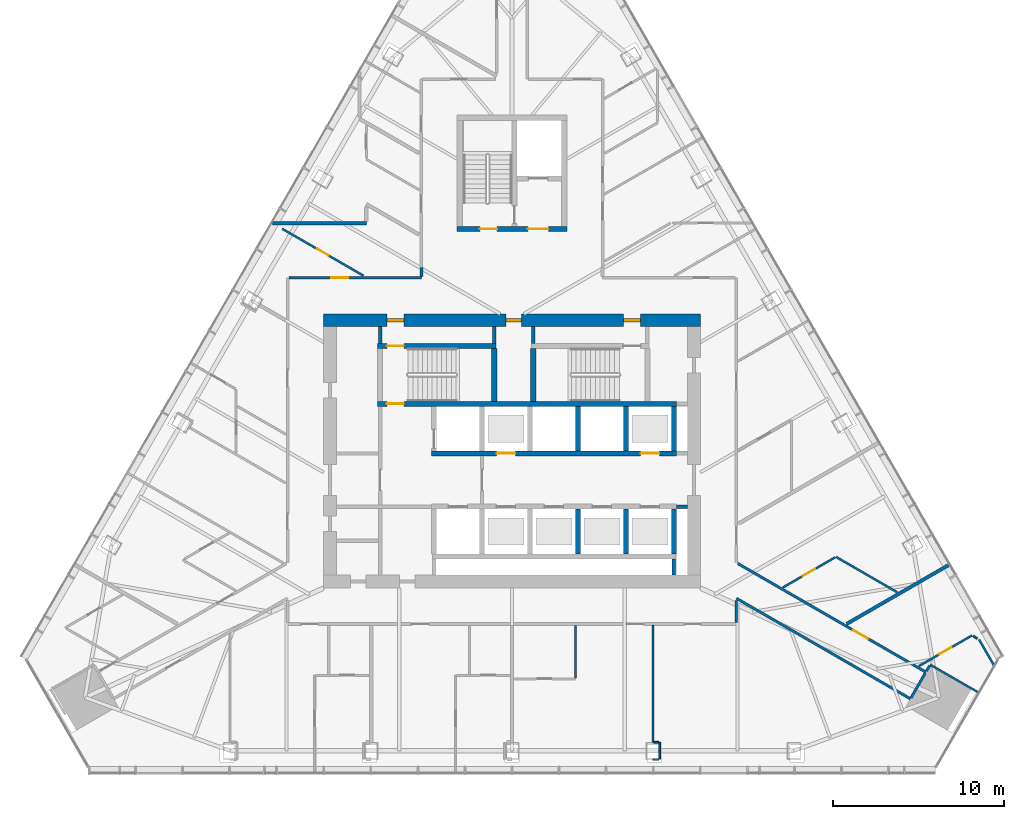
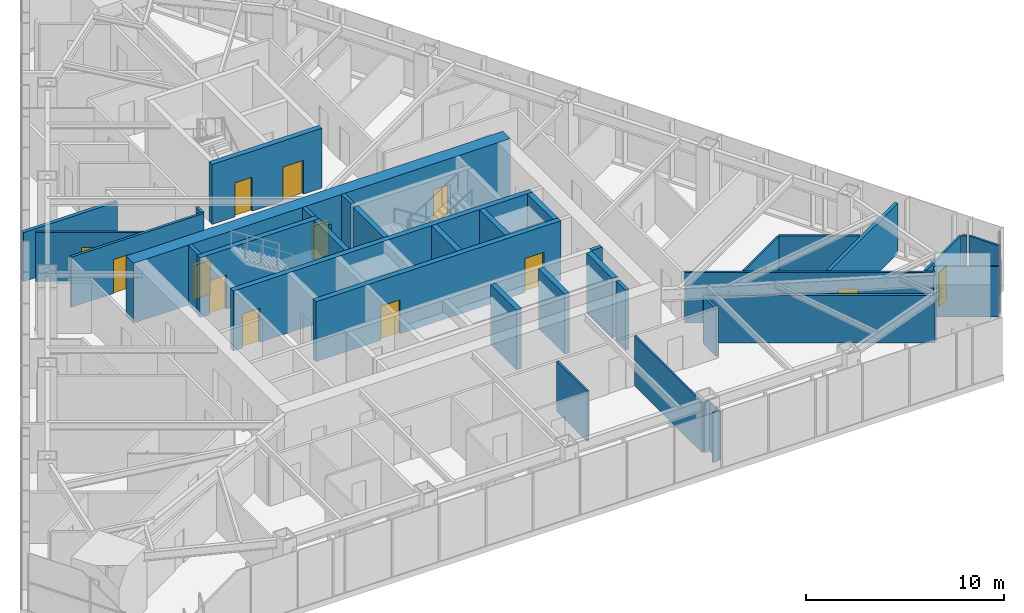
# One storey, part 12 of 16: 39 walls, 14 doors, 14 openings.
"""IFC4 building model written with IfcOpenShell, lengths in metres."""

from ifc_helpers import new_model, si_unit, direction, frame, frame_2d, origin, place, context, subcontext, project, spatial, rectangle, extrude, material, layer, layer_set, type_object, element, fill, save


model = new_model("IFC4")

# Units and contexts
model_context = context("Model", 3, precision=1e-05, world=origin(), true_north=direction((0.0, 1.0)))
body_context = subcontext(model_context, "Body", "Model", "MODEL_VIEW")
ifc_project = project(units=[si_unit("LENGTHUNIT", "METRE"), si_unit("AREAUNIT", "SQUARE_METRE"), si_unit("VOLUMEUNIT", "CUBIC_METRE"), si_unit("PLANEANGLEUNIT", "RADIAN"), si_unit("MASSUNIT", "GRAM", prefix="KILO")], contexts=[model_context])

# Site, building, storey
site_placement = place(None, origin())
site = spatial("IfcSite", under=ifc_project, at=site_placement, CompositionType="ELEMENT")
building_placement = place(site_placement, origin())
building = spatial("IfcBuilding", under=site, at=building_placement, Name="Firuza Gate Tower and Library", CompositionType="ELEMENT")
storey_placement = place(building_placement, frame((0.0, 0.0, 229.89990234375)))
storey = spatial("IfcBuildingStorey", under=building, at=storey_placement, Name="L54", CompositionType="ELEMENT", Elevation=229.89990234375)

# Walls
ifc_material_1 = material(Name="Plasterboard on steel studs", Category="steel")
ifc_layer_1 = layer(ifc_material_1, 0.199951171875)
ifc_layer_set_1 = layer_set([ifc_layer_1], Name="Core partition 200 EI 120")
wall_type_1 = type_object("IfcWallType", Name="Core partition 200 EI 120", PredefinedType="PARTITIONING", material=ifc_layer_set_1)
wall_1_placement = place(storey_placement, frame((84.60009765625, 71.75, 0.0), z_axis=(0.0, 0.0, 1.0), x_axis=(1.0, 0.0, 0.0)))
element("IfcWall", 1, at=wall_1_placement, inside=storey, type_object=wall_type_1, Name="Core partition L54 3", PredefinedType="PARTITIONING", context=body_context, shape_type="SweptSolid", body=[
    extrude(rectangle(XDim=0.64990234375, YDim=0.199951171875, at=frame_2d((0.324951171875, 0.0))), origin(), (0.0, 0.0, 1.0), 3.7001953125),
])
wall_2_placement = place(storey_placement, frame((67.300048828125, 81.280029296875, 0.0), z_axis=(0.0, 0.0, 1.0), x_axis=(0.0, 1.0, 0.0)))
element("IfcWall", 2, at=wall_2_placement, inside=storey, type_object=wall_type_1, Name="Core partition L54 9", PredefinedType="PARTITIONING", context=body_context, shape_type="SweptSolid", body=[
    extrude(rectangle(XDim=0.969970703125, YDim=0.199951171875, at=frame_2d((0.48486328125, 0.0))), origin(), (0.0, 0.0, 1.0), 3.7001953125),
])
wall_3_placement = place(storey_placement, frame((84.449951171875, 67.75, 0.0), z_axis=(0.0, 0.0, 1.0), x_axis=(0.0, 1.0, 0.0)))
element("IfcWall", 3, at=wall_3_placement, inside=storey, type_object=wall_type_1, Name="Core partition L54 15", PredefinedType="PARTITIONING", context=body_context, shape_type="SweptSolid", body=[
    extrude(rectangle(XDim=0.949951171875, YDim=0.199951171875, at=frame_2d((0.47509765625, 0.0))), origin(), (0.0, 0.0, 1.0), 3.7001953125),
])
ifc_material_2 = material(Name="Plasterboard on steel studs", Category="steel")
ifc_layer_2 = layer(ifc_material_2, 0.199951171875)
ifc_layer_set_2 = layer_set([ifc_layer_2], Name="Core partition 200 EI 60")
wall_type_2 = type_object("IfcWallType", Name="Core partition 200 EI 60", PredefinedType="PARTITIONING", material=ifc_layer_set_2)
for number, where, z_axis, x_axis, name in (
    (4, (73.9599609375, 81.280029296875, 0.0), (0.0, 0.0, 1.0), (0.0, 1.0, 0.0), "Core partition L54 12"),
    (5, (76.239990234375, 81.280029296875, 0.0), (0.0, 0.0, 1.0), (0.0, 1.0, 0.0), "Core partition L54 13"),
):
    element("IfcWall", number, at=place(storey_placement, frame(where, z_axis=z_axis, x_axis=x_axis)), inside=storey, type_object=wall_type_2, Name=name, PredefinedType="PARTITIONING", context=body_context, shape_type="SweptSolid", body=[
        extrude(rectangle(XDim=0.969970703125, YDim=0.199951171875, at=frame_2d((0.48486328125, 0.0))), origin(), (0.0, 0.0, 1.0), 3.7001953125),
    ])

# Wall, openings, doors
ifc_material_3 = material(Name="Concrete C80/95", Category="concrete")
ifc_layer_3 = layer(ifc_material_3, 0.300048828125)
ifc_layer_set_3 = layer_set([ifc_layer_3], Name="Core wall 300 C80/95")
wall_type_3 = type_object("IfcWallType", Name="Core wall 300 C80/95", PredefinedType="SHEAR", material=ifc_layer_set_3)
wall_4_placement = place(storey_placement, frame((70.300048828125, 74.85009765625, 0.0), z_axis=(0.0, 0.0, 1.0), x_axis=(1.0, 0.0, 0.0)))
wall_4 = element("IfcWall", 6, at=wall_4_placement, inside=storey, type_object=wall_type_3, Name="Core wall L54 7", PredefinedType="SHEAR", context=body_context, shape_type="SweptSolid", body=[
    extrude(rectangle(XDim=14.300048828125, YDim=0.300048828125, at=frame_2d((7.14990234375, 0.0))), origin(), (0.0, 0.0, 1.0), 3.7001953125),
])
opening_1_placement = place(wall_4_placement, frame((3.800048828125, 0.0, 0.0)))
opening_1 = element("IfcOpeningElement", 7, at=opening_1_placement, cuts=wall_4, Name="Opening LD-MR4-L54", PredefinedType="OPENING", context=body_context, shape_type="SweptSolid", body=[
    extrude(rectangle(XDim=1.10009765625, YDim=2.10009765625, at=frame_2d((0.550048828125, 1.050048828125))), frame((0.0, 0.16015625, 0.0), z_axis=(0.0, -1.0, 0.0), x_axis=(1.0, 0.0, 0.0)), (0.0, 0.0, 1.0), 0.320068359375),
])
opening_2_placement = place(wall_4_placement, frame((12.199951171875, 0.0, 0.0)))
opening_2 = element("IfcOpeningElement", 8, at=opening_2_placement, cuts=wall_4, Name="Opening LD-MR6-L54", PredefinedType="OPENING", context=body_context, shape_type="SweptSolid", body=[
    extrude(rectangle(XDim=1.10009765625, YDim=2.10009765625, at=frame_2d((0.550048828125, 1.050048828125))), frame((0.0, 0.16015625, 0.0), z_axis=(0.0, -1.0, 0.0), x_axis=(1.0, 0.0, 0.0)), (0.0, 0.0, 1.0), 0.320068359375),
])
ifc_material_4 = material(Name="Stainless steel", Category="steel")
door_type_1 = type_object("IfcDoorType", Name="Lift landing door 1100x2100", OperationType="DOUBLE_DOOR_SLIDING", PredefinedType="DOOR", material=ifc_material_4)
door_1_placement = place(opening_1_placement, origin())
door_1 = element("IfcDoor", 9, at=door_1_placement, inside=storey, type_object=door_type_1, Name="Landing door MR4 L54", OperationType="DOUBLE_DOOR_SLIDING", OverallHeight=2.10009765625, OverallWidth=1.10009765625, PredefinedType="DOOR", context=body_context, shape_type="SweptSolid", body=[
    extrude(rectangle(XDim=1.10009765625, YDim=2.10009765625, at=frame_2d((0.550048828125, 1.050048828125))), frame((0.0, 0.02490234375, 0.0), z_axis=(0.0, -1.0, 0.0), x_axis=(1.0, 0.0, 0.0)), (0.0, 0.0, 1.0), 0.050048828125),
])
fill(opening_1, door_1)
door_2_placement = place(opening_2_placement, origin())
door_2 = element("IfcDoor", 10, at=door_2_placement, inside=storey, type_object=door_type_1, Name="Landing door MR6 L54", OperationType="DOUBLE_DOOR_SLIDING", OverallHeight=2.10009765625, OverallWidth=1.10009765625, PredefinedType="DOOR", context=body_context, shape_type="SweptSolid", body=[
    extrude(rectangle(XDim=1.10009765625, YDim=2.10009765625, at=frame_2d((0.550048828125, 1.050048828125))), frame((0.0, 0.02490234375, 0.0), z_axis=(0.0, -1.0, 0.0), x_axis=(1.0, 0.0, 0.0)), (0.0, 0.0, 1.0), 0.050048828125),
])
fill(opening_2, door_2)

# Walls
for number, where, z_axis, x_axis, name in (
    (11, (78.85009765625, 69.0, 0.0), (0.0, 0.0, 1.0), (0.0, 1.0, 0.0), "Core wall L54 14"),
    (12, (78.85009765625, 75.0, 0.0), (0.0, 0.0, 1.0), (0.0, 1.0, 0.0), "Core wall L54 15"),
    (13, (81.64990234375, 69.0, 0.0), (0.0, 0.0, 1.0), (0.0, 1.0, 0.0), "Core wall L54 16"),
    (14, (81.64990234375, 75.0, 0.0), (0.0, 0.0, 1.0), (0.0, 1.0, 0.0), "Core wall L54 17"),
    (15, (84.449951171875, 69.0, 0.0), (0.0, 0.0, 1.0), (0.0, 1.0, 0.0), "Core wall L54 18"),
    (16, (84.449951171875, 75.0, 0.0), (0.0, 0.0, 1.0), (0.0, 1.0, 0.0), "Core wall L54 19"),
):
    element("IfcWall", number, at=place(storey_placement, frame(where, z_axis=z_axis, x_axis=x_axis)), inside=storey, type_object=wall_type_3, Name=name, PredefinedType="SHEAR", context=body_context, shape_type="SweptSolid", body=[
        extrude(rectangle(XDim=2.60009765625, YDim=0.300048828125, at=frame_2d((1.300048828125, 0.0))), origin(), (0.0, 0.0, 1.0), 3.7001953125),
    ])

# Wall, opening, door
wall_5_placement = place(storey_placement, frame((67.14990234375, 77.75, 0.0), z_axis=(0.0, 0.0, 1.0), x_axis=(1.0, 0.0, 0.0)))
wall_5 = element("IfcWall", 17, at=wall_5_placement, inside=storey, type_object=wall_type_3, Name="Core wall L54 20", PredefinedType="SHEAR", context=body_context, shape_type="SweptSolid", body=[
    extrude(rectangle(XDim=17.4501953125, YDim=0.300048828125, at=frame_2d((8.72509765625, 0.0))), origin(), (0.0, 0.0, 1.0), 3.7001953125),
])
opening_3_placement = place(wall_5_placement, frame((0.544921875, 0.0, 0.0)))
opening_3 = element("IfcOpeningElement", 18, at=opening_3_placement, cuts=wall_5, Name="Opening L54-K10", PredefinedType="OPENING", context=body_context, shape_type="SweptSolid", body=[
    extrude(rectangle(XDim=1.0, YDim=2.10009765625, at=frame_2d((0.5, 1.050048828125))), frame((0.0, 0.16015625, 0.0), z_axis=(0.0, -1.0, 0.0), x_axis=(1.0, 0.0, 0.0)), (0.0, 0.0, 1.0), 0.320068359375),
])
ifc_material_5 = material(Name="Steel", Category="steel")
door_type_2 = type_object("IfcDoorType", Name="Fire door 1000x2100 FD90", OperationType="NOTDEFINED", PredefinedType="DOOR", material=ifc_material_5)
door_3_placement = place(opening_3_placement, origin())
door_3 = element("IfcDoor", 19, at=door_3_placement, inside=storey, type_object=door_type_2, Name="Door L54-K10", OperationType="SINGLE_SWING_LEFT", OverallHeight=2.10009765625, OverallWidth=1.0, PredefinedType="DOOR", context=body_context, shape_type="SweptSolid", body=[
    extrude(rectangle(XDim=1.0, YDim=2.10009765625, at=frame_2d((0.5, 1.050048828125))), frame((0.0, 0.02490234375, 0.0), z_axis=(0.0, -1.0, 0.0), x_axis=(1.0, 0.0, 0.0)), (0.0, 0.0, 1.0), 0.050048828125),
])
fill(opening_3, door_3)

wall_6_placement = place(storey_placement, frame((67.14990234375, 81.1298828125, 0.0), z_axis=(0.0, 0.0, 1.0), x_axis=(1.0, 0.0, 0.0)))
wall_6 = element("IfcWall", 20, at=wall_6_placement, inside=storey, type_object=wall_type_3, Name="Core wall L54 21", PredefinedType="SHEAR", context=body_context, shape_type="SweptSolid", body=[
    extrude(rectangle(XDim=6.91015625, YDim=0.300048828125, at=frame_2d((3.455078125, 0.0))), origin(), (0.0, 0.0, 1.0), 3.7001953125),
])
opening_4_placement = place(wall_6_placement, frame((0.544921875, 0.0, 0.0)))
opening_4 = element("IfcOpeningElement", 21, at=opening_4_placement, cuts=wall_6, Name="Opening L54-K11", PredefinedType="OPENING", context=body_context, shape_type="SweptSolid", body=[
    extrude(rectangle(XDim=1.0, YDim=2.10009765625, at=frame_2d((0.5, 1.050048828125))), frame((0.0, 0.16015625, 0.0), z_axis=(0.0, -1.0, 0.0), x_axis=(1.0, 0.0, 0.0)), (0.0, 0.0, 1.0), 0.320068359375),
])
door_4_placement = place(opening_4_placement, origin())
door_4 = element("IfcDoor", 22, at=door_4_placement, inside=storey, type_object=door_type_2, Name="Door L54-K11", OperationType="SINGLE_SWING_RIGHT", OverallHeight=2.10009765625, OverallWidth=1.0, PredefinedType="DOOR", context=body_context, shape_type="SweptSolid", body=[
    extrude(rectangle(XDim=1.0, YDim=2.10009765625, at=frame_2d((0.5, 1.050048828125))), frame((0.0, 0.02490234375, 0.0), z_axis=(0.0, -1.0, 0.0), x_axis=(1.0, 0.0, 0.0)), (0.0, 0.0, 1.0), 0.050048828125),
])
fill(opening_4, door_4)

# Walls
for number, where, z_axis, x_axis, name in (
    (23, (73.9599609375, 77.89990234375, 0.0), (0.0, 0.0, 1.0), (0.0, 1.0, 0.0), "Core wall L54 24"),
    (24, (76.239990234375, 77.89990234375, 0.0), (0.0, 0.0, 1.0), (0.0, 1.0, 0.0), "Core wall L54 25"),
):
    element("IfcWall", number, at=place(storey_placement, frame(where, z_axis=z_axis, x_axis=x_axis)), inside=storey, type_object=wall_type_3, Name=name, PredefinedType="SHEAR", context=body_context, shape_type="SweptSolid", body=[
        extrude(rectangle(XDim=3.080078125, YDim=0.300048828125, at=frame_2d((1.5400390625, 0.0))), origin(), (0.0, 0.0, 1.0), 3.7001953125),
    ])

# Wall, openings, doors
wall_7_placement = place(storey_placement, frame((71.800048828125, 87.949951171875, 0.0), z_axis=(0.0, 0.0, 1.0), x_axis=(1.0, 0.0, 0.0)))
wall_7 = element("IfcWall", 25, at=wall_7_placement, inside=storey, type_object=wall_type_3, Name="Core wall L54 27", PredefinedType="SHEAR", context=body_context, shape_type="SweptSolid", body=[
    extrude(rectangle(XDim=6.39990234375, YDim=0.300048828125, at=frame_2d((3.199951171875, 0.0))), origin(), (0.0, 0.0, 1.0), 3.7001953125),
])
opening_5_placement = place(wall_7_placement, frame((1.324951171875, 0.0, 0.0)))
opening_5 = element("IfcOpeningElement", 26, at=opening_5_placement, cuts=wall_7, Name="Opening L54-K15", PredefinedType="OPENING", context=body_context, shape_type="SweptSolid", body=[
    extrude(rectangle(XDim=1.0, YDim=2.10009765625, at=frame_2d((0.5, 1.050048828125))), frame((0.0, 0.16015625, 0.0), z_axis=(0.0, -1.0, 0.0), x_axis=(1.0, 0.0, 0.0)), (0.0, 0.0, 1.0), 0.320068359375),
])
opening_6_placement = place(wall_7_placement, frame((4.125, 0.0, 0.0)))
opening_6 = element("IfcOpeningElement", 27, at=opening_6_placement, cuts=wall_7, Name="Opening L54-K17", PredefinedType="OPENING", context=body_context, shape_type="SweptSolid", body=[
    extrude(rectangle(XDim=1.199951171875, YDim=2.10009765625, at=frame_2d((0.60009765625, 1.050048828125))), frame((0.0, 0.16015625, 0.0), z_axis=(0.0, -1.0, 0.0), x_axis=(1.0, 0.0, 0.0)), (0.0, 0.0, 1.0), 0.320068359375),
])
door_5_placement = place(opening_5_placement, origin())
door_5 = element("IfcDoor", 28, at=door_5_placement, inside=storey, type_object=door_type_2, Name="Door L54-K15", OperationType="SINGLE_SWING_RIGHT", OverallHeight=2.10009765625, OverallWidth=1.0, PredefinedType="DOOR", context=body_context, shape_type="SweptSolid", body=[
    extrude(rectangle(XDim=1.0, YDim=2.10009765625, at=frame_2d((0.5, 1.050048828125))), frame((0.0, 0.02490234375, 0.0), z_axis=(0.0, -1.0, 0.0), x_axis=(1.0, 0.0, 0.0)), (0.0, 0.0, 1.0), 0.050048828125),
])
fill(opening_5, door_5)
ifc_material_6 = material(Name="Steel", Category="steel")
door_type_3 = type_object("IfcDoorType", Name="Fire door 1200x2100 FD30S", OperationType="NOTDEFINED", PredefinedType="DOOR", material=ifc_material_6)
door_6_placement = place(opening_6_placement, origin())
door_6 = element("IfcDoor", 29, at=door_6_placement, inside=storey, type_object=door_type_3, Name="Door L54-K17", OperationType="SINGLE_SWING_RIGHT", OverallHeight=2.10009765625, OverallWidth=1.199951171875, PredefinedType="DOOR", context=body_context, shape_type="SweptSolid", body=[
    extrude(rectangle(XDim=1.199951171875, YDim=2.10009765625, at=frame_2d((0.60009765625, 1.050048828125))), frame((0.0, 0.02490234375, 0.0), z_axis=(0.0, -1.0, 0.0), x_axis=(1.0, 0.0, 0.0)), (0.0, 0.0, 1.0), 0.050048828125),
])
fill(opening_6, door_6)

ifc_material_7 = material(Name="Concrete C80/95", Category="concrete")
ifc_layer_4 = layer(ifc_material_7, 0.75)
ifc_layer_set_4 = layer_set([ifc_layer_4], Name="Core wall 750 C80/95")
wall_type_4 = type_object("IfcWallType", Name="Core wall 750 C80/95", PredefinedType="SHEAR", material=ifc_layer_set_4)
wall_8_placement = place(storey_placement, frame((64.0, 82.625, 0.0), z_axis=(0.0, 0.0, 1.0), x_axis=(1.0, 0.0, 0.0)))
wall_8 = element("IfcWall", 30, at=wall_8_placement, inside=storey, type_object=wall_type_4, Name="Core wall L54 2", PredefinedType="SHEAR", context=body_context, shape_type="SweptSolid", body=[
    extrude(rectangle(XDim=22.0, YDim=0.75, at=frame_2d((11.0, 0.0))), origin(), (0.0, 0.0, 1.0), 3.7001953125),
])
opening_7_placement = place(wall_8_placement, frame((3.695068359375, 0.0, 0.0)))
opening_7 = element("IfcOpeningElement", 31, at=opening_7_placement, cuts=wall_8, Name="Opening L54-K12", PredefinedType="OPENING", context=body_context, shape_type="SweptSolid", body=[
    extrude(rectangle(XDim=1.0, YDim=2.10009765625, at=frame_2d((0.5, 1.050048828125))), frame((0.0, 0.385009765625, 0.0), z_axis=(0.0, -1.0, 0.0), x_axis=(1.0, 0.0, 0.0)), (0.0, 0.0, 1.0), 0.77001953125),
])
opening_8_placement = place(wall_8_placement, frame((17.5048828125, 0.0, 0.0)))
opening_8 = element("IfcOpeningElement", 32, at=opening_8_placement, cuts=wall_8, Name="Opening L54-K14", PredefinedType="OPENING", context=body_context, shape_type="SweptSolid", body=[
    extrude(rectangle(XDim=1.0, YDim=2.10009765625, at=frame_2d((0.5, 1.050048828125))), frame((0.0, 0.385009765625, 0.0), z_axis=(0.0, -1.0, 0.0), x_axis=(1.0, 0.0, 0.0)), (0.0, 0.0, 1.0), 0.77001953125),
])
opening_9_placement = place(wall_8_placement, frame((10.64990234375, 0.0, 0.0)))
opening_9 = element("IfcOpeningElement", 33, at=opening_9_placement, cuts=wall_8, Name="Opening L54-K26", PredefinedType="OPENING", context=body_context, shape_type="SweptSolid", body=[
    extrude(rectangle(XDim=0.89990234375, YDim=2.10009765625, at=frame_2d((0.449951171875, 1.050048828125))), frame((0.0, 0.385009765625, 0.0), z_axis=(0.0, -1.0, 0.0), x_axis=(1.0, 0.0, 0.0)), (0.0, 0.0, 1.0), 0.77001953125),
])
door_7_placement = place(opening_7_placement, origin())
door_7 = element("IfcDoor", 34, at=door_7_placement, inside=storey, type_object=door_type_2, Name="Door L54-K12", OperationType="SINGLE_SWING_LEFT", OverallHeight=2.10009765625, OverallWidth=1.0, PredefinedType="DOOR", context=body_context, shape_type="SweptSolid", body=[
    extrude(rectangle(XDim=1.0, YDim=2.10009765625, at=frame_2d((0.5, 1.050048828125))), frame((0.0, 0.094970703125, 0.0), z_axis=(0.0, -1.0, 0.0), x_axis=(1.0, 0.0, 0.0)), (0.0, 0.0, 1.0), 0.18994140625),
])
fill(opening_7, door_7)
door_8_placement = place(opening_8_placement, origin())
door_8 = element("IfcDoor", 35, at=door_8_placement, inside=storey, type_object=door_type_2, Name="Door L54-K14", OperationType="SINGLE_SWING_LEFT", OverallHeight=2.10009765625, OverallWidth=1.0, PredefinedType="DOOR", context=body_context, shape_type="SweptSolid", body=[
    extrude(rectangle(XDim=1.0, YDim=2.10009765625, at=frame_2d((0.5, 1.050048828125))), frame((0.0, 0.094970703125, 0.0), z_axis=(0.0, -1.0, 0.0), x_axis=(1.0, 0.0, 0.0)), (0.0, 0.0, 1.0), 0.18994140625),
])
fill(opening_8, door_8)
ifc_material_8 = material(Name="Steel", Category="steel")
door_type_4 = type_object("IfcDoorType", Name="Fire door 900x2100 FD30S", OperationType="NOTDEFINED", PredefinedType="DOOR", material=ifc_material_8)
door_9_placement = place(opening_9_placement, origin())
door_9 = element("IfcDoor", 36, at=door_9_placement, inside=storey, type_object=door_type_4, Name="Door L54-K26", OperationType="SINGLE_SWING_LEFT", OverallHeight=2.10009765625, OverallWidth=0.89990234375, PredefinedType="DOOR", context=body_context, shape_type="SweptSolid", body=[
    extrude(rectangle(XDim=0.89990234375, YDim=2.10009765625, at=frame_2d((0.449951171875, 1.050048828125))), frame((0.0, 0.094970703125, 0.0), z_axis=(0.0, -1.0, 0.0), x_axis=(1.0, 0.0, 0.0)), (0.0, 0.0, 1.0), 0.18994140625),
])
fill(opening_9, door_9)

# Wall, opening, door
ifc_material_9 = material(Name="Gypsum board partition")
ifc_layer_5 = layer(ifc_material_9, 0.14990234375)
ifc_layer_set_5 = layer_set([ifc_layer_5], Name="Corridor wall 150 double board on steel studs")
wall_type_5 = type_object("IfcWallType", Name="Corridor wall 150 double board on steel studs", PredefinedType="PARTITIONING", material=ifc_layer_set_5)
wall_9_placement = place(storey_placement, frame((61.9755859375, 85.10009765625, 0.0), z_axis=(0.0, 0.0, 1.0), x_axis=(1.0, 0.0, 0.0)))
wall_9 = element("IfcWall", 37, at=wall_9_placement, inside=storey, type_object=wall_type_5, Name="f:L54:w012", PredefinedType="PARTITIONING", context=body_context, shape_type="SweptSolid", body=[
    extrude(rectangle(XDim=7.743896484375, YDim=0.14990234375, at=frame_2d((3.8720703125, 0.0))), origin(), (0.0, 0.0, 1.0), 3.10009765625),
])
opening_10_placement = place(wall_9_placement, frame((2.474609375, 0.0, 0.0)))
opening_10 = element("IfcOpeningElement", 38, at=opening_10_placement, cuts=wall_9, Name="Opening L54-08", PredefinedType="OPENING", context=body_context, shape_type="SweptSolid", body=[
    extrude(rectangle(XDim=1.0, YDim=2.10009765625, at=frame_2d((0.5, 1.050048828125))), frame((0.0, 0.0849609375, 0.0), z_axis=(0.0, -1.0, 0.0), x_axis=(1.0, 0.0, 0.0)), (0.0, 0.0, 1.0), 0.169921875),
])
ifc_material_10 = material(Name="Steel door and timber leaf", Category="steel")
door_type_5 = type_object("IfcDoorType", Name="Fire door 1000 x 2100 steel frame, timber leaf", OperationType="NOTDEFINED", PredefinedType="DOOR", material=ifc_material_10)
door_10_placement = place(opening_10_placement, origin())
door_10 = element("IfcDoor", 39, at=door_10_placement, inside=storey, type_object=door_type_5, Name="f:L54:d008", OperationType="SINGLE_SWING_LEFT", OverallHeight=2.10009765625, OverallWidth=1.0, PredefinedType="DOOR", context=body_context, shape_type="SweptSolid", body=[
    extrude(rectangle(XDim=1.0, YDim=2.10009765625, at=frame_2d((0.5, 1.050048828125))), frame((0.0, 0.02490234375, 0.0), z_axis=(0.0, -1.0, 0.0), x_axis=(1.0, 0.0, 0.0)), (0.0, 0.0, 1.0), 0.050048828125),
])
fill(opening_10, door_10)

# Walls
wall_10_placement = place(storey_placement, frame((98.292724609375, 60.599853515625, 0.0), z_axis=(0.0, 0.0, 1.0), x_axis=(0.499927431592, 0.866067297121, 0.0)))
element("IfcWall", 40, at=wall_10_placement, inside=storey, type_object=wall_type_5, Name="f:L54:w035", PredefinedType="PARTITIONING", context=body_context, shape_type="SweptSolid", body=[
    extrude(rectangle(XDim=1.649658203125, YDim=0.14990234375, at=frame_2d((0.82470703125, 0.0))), origin(), (0.0, 0.0, 1.0), 2.947021484375),
])
wall_11_placement = place(storey_placement, frame((88.10009765625, 64.9755859375, 0.0), z_axis=(0.0, 0.0, 1.0), x_axis=(0.0, 1.0, 0.0)))
element("IfcWall", 41, at=wall_11_placement, inside=storey, type_object=wall_type_5, Name="f:L54:w040", PredefinedType="PARTITIONING", context=body_context, shape_type="SweptSolid", body=[
    extrude(rectangle(XDim=1.28515625, YDim=0.14990234375, at=frame_2d((0.642578125, 0.0))), origin(), (0.0, 0.0, 1.0), 2.947021484375),
])
wall_12_placement = place(storey_placement, frame((69.718994140625, 85.175048828125, 0.0), z_axis=(0.0, 0.0, 1.0), x_axis=(0.0, 1.0, 0.0)))
element("IfcWall", 42, at=wall_12_placement, inside=storey, type_object=wall_type_5, Name="f:L54:w056", PredefinedType="PARTITIONING", context=body_context, shape_type="SweptSolid", body=[
    extrude(rectangle(XDim=0.52490234375, YDim=0.14990234375, at=frame_2d((0.262451171875, 0.0))), origin(), (0.0, 0.0, 1.0), 3.10009765625),
])

# Wall, opening, door
wall_13_placement = place(storey_placement, frame((88.175048828125, 68.4326171875, 0.0), z_axis=(0.0, 0.0, 1.0), x_axis=(0.866028141608, -0.499995257921, 0.0)))
wall_13 = element("IfcWall", 43, at=wall_13_placement, inside=storey, type_object=wall_type_5, Name="f:L54:w083", PredefinedType="PARTITIONING", context=body_context, shape_type="SweptSolid", body=[
    extrude(rectangle(XDim=12.6787109375, YDim=0.14990234375, at=frame_2d((6.33935546875, 0.0))), origin(), (0.0, 0.0, 1.0), 3.10009765625),
])
opening_11_placement = place(wall_13_placement, frame((7.779052734375, 0.0, 0.0)))
opening_11 = element("IfcOpeningElement", 44, at=opening_11_placement, cuts=wall_13, Name="Opening L54-37", PredefinedType="OPENING", context=body_context, shape_type="SweptSolid", body=[
    extrude(rectangle(XDim=1.0, YDim=2.10009765625, at=frame_2d((0.5, 1.050048828125))), frame((0.0, 0.0849609375, 0.0), z_axis=(0.0, -1.0, 0.0), x_axis=(1.0, 0.0, 0.0)), (0.0, 0.0, 1.0), 0.169921875),
])
door_11_placement = place(opening_11_placement, origin())
door_11 = element("IfcDoor", 45, at=door_11_placement, inside=storey, type_object=door_type_5, Name="f:L54:d037", OperationType="SINGLE_SWING_RIGHT", OverallHeight=2.10009765625, OverallWidth=1.0, PredefinedType="DOOR", context=body_context, shape_type="SweptSolid", body=[
    extrude(rectangle(XDim=1.0, YDim=2.10009765625, at=frame_2d((0.5, 1.050048828125))), frame((0.0, 0.02490234375, 0.0), z_axis=(0.0, -1.0, 0.0), x_axis=(1.0, 0.0, 0.0)), (0.0, 0.0, 1.0), 0.050048828125),
])
fill(opening_11, door_11)

# Walls
wall_14_placement = place(storey_placement, frame((98.2548828125, 60.53466796875, 0.0), z_axis=(0.0, 0.0, 1.0), x_axis=(-0.866028172479, 0.49999520445, 0.0)))
element("IfcWall", 46, at=wall_14_placement, inside=storey, type_object=wall_type_5, Name="f:L54:w086", PredefinedType="PARTITIONING", context=body_context, shape_type="SweptSolid", body=[
    extrude(rectangle(XDim=11.7255859375, YDim=0.14990234375, at=frame_2d((5.86279296875, 0.0))), origin(), (0.0, 0.0, 1.0), 2.947021484375),
])
wall_15_placement = place(storey_placement, frame((99.1923828125, 62.158447265625, 0.0), z_axis=(0.0, 0.0, 1.0), x_axis=(0.500534336868, 0.865716684381, 0.0)))
element("IfcWall", 47, at=wall_15_placement, inside=storey, type_object=wall_type_5, Name="f:L54:w097", PredefinedType="PARTITIONING", context=body_context, shape_type="SweptSolid", body=[
    extrude(rectangle(XDim=0.3642578125, YDim=0.14990234375, at=frame_2d((0.18212890625, 0.0))), origin(), (0.0, 0.0, 1.0), 3.10009765625),
])
ifc_material_11 = material(Name="Gypsum board partition")
ifc_layer_6 = layer(ifc_material_11, 0.199951171875)
ifc_layer_set_6 = layer_set([ifc_layer_6], Name="Demising wall 200 acoustic double stud")
wall_type_6 = type_object("IfcWallType", Name="Demising wall 200 acoustic double stud", PredefinedType="PARTITIONING", material=ifc_layer_set_6)
wall_16_placement = place(storey_placement, frame((61.011962890625, 88.300048828125, 0.0), z_axis=(0.0, 0.0, 1.0), x_axis=(1.0, 0.0, 0.0)))
element("IfcWall", 48, at=wall_16_placement, inside=storey, type_object=wall_type_6, Name="f:L54:w014", PredefinedType="PARTITIONING", context=body_context, shape_type="SweptSolid", body=[
    extrude(rectangle(XDim=5.487548828125, YDim=0.199951171875, at=frame_2d((2.74365234375, 0.0))), origin(), (0.0, 0.0, 1.0), 3.022216796875),
])
wall_17_placement = place(storey_placement, frame((94.53466796875, 64.9072265625, 0.0), z_axis=(0.0, 0.0, 1.0), x_axis=(0.866022205013, 0.500005540394, 0.0)))
element("IfcWall", 49, at=wall_17_placement, inside=storey, type_object=wall_type_6, Name="f:L54:w020", PredefinedType="PARTITIONING", context=body_context, shape_type="SweptSolid", body=[
    extrude(rectangle(XDim=6.89306640625, YDim=0.199951171875, at=frame_2d((3.446533203125, 0.0))), origin(), (0.0, 0.0, 1.0), 3.10009765625),
])
ifc_material_12 = material(Name="Gypsum board partition")
ifc_layer_7 = layer(ifc_material_12, 0.10009765625)
ifc_layer_set_7 = layer_set([ifc_layer_7], Name="Partition 100 gypsum board on steel studs")
wall_type_7 = type_object("IfcWallType", Name="Partition 100 gypsum board on steel studs", PredefinedType="PARTITIONING", material=ifc_layer_set_7)
wall_18_placement = place(storey_placement, frame((83.2255859375, 56.99609375, 0.0), z_axis=(0.0, 0.0, 1.0), x_axis=(1.0, 0.0, 0.0)))
element("IfcWall", 50, at=wall_18_placement, inside=storey, type_object=wall_type_7, Name="f:L54:w003", PredefinedType="PARTITIONING", context=body_context, shape_type="SweptSolid", body=[
    extrude(rectangle(XDim=0.349365234375, YDim=0.10009765625, at=frame_2d((0.1748046875, 0.0))), origin(), (0.0, 0.0, 1.0), 3.10009765625),
])
wall_19_placement = place(storey_placement, frame((83.28564453125, 57.99609375, 0.0), z_axis=(0.0, 0.0, 1.0), x_axis=(1.0, 0.0, 0.0)))
element("IfcWall", 51, at=wall_19_placement, inside=storey, type_object=wall_type_7, Name="f:L54:w007", PredefinedType="PARTITIONING", context=body_context, shape_type="SweptSolid", body=[
    extrude(rectangle(XDim=0.289306640625, YDim=0.10009765625, at=frame_2d((0.14453125, 0.0))), origin(), (0.0, 0.0, 1.0), 3.10009765625),
])
wall_20_placement = place(storey_placement, frame((83.6259765625, 56.99658203125, 0.0), z_axis=(0.0, 0.0, 1.0), x_axis=(0.0, 1.0, 0.0)))
element("IfcWall", 52, at=wall_20_placement, inside=storey, type_object=wall_type_7, Name="f:L54:w042", PredefinedType="PARTITIONING", context=body_context, shape_type="SweptSolid", body=[
    extrude(rectangle(XDim=0.9990234375, YDim=0.10009765625, at=frame_2d((0.49951171875, 0.0))), origin(), (0.0, 0.0, 1.0), 3.022216796875),
])
wall_21_placement = place(storey_placement, frame((83.22607421875, 57.99609375, 0.0), z_axis=(0.0, 0.0, 1.0), x_axis=(0.0, 1.0, 0.0)))
element("IfcWall", 53, at=wall_21_placement, inside=storey, type_object=wall_type_7, Name="f:L54:w044", PredefinedType="PARTITIONING", context=body_context, shape_type="SweptSolid", body=[
    extrude(rectangle(XDim=6.828857421875, YDim=0.10009765625, at=frame_2d((3.41455078125, 0.0))), origin(), (0.0, 0.0, 1.0), 3.10009765625),
])

# Wall, opening, door
ifc_material_13 = material(Name="Gypsum board partition")
ifc_layer_8 = layer(ifc_material_13, 0.1201171875)
ifc_layer_set_8 = layer_set([ifc_layer_8], Name="Wet-area partition 120 moisture-resistant board")
wall_type_8 = type_object("IfcWallType", Name="Wet-area partition 120 moisture-resistant board", PredefinedType="PARTITIONING", material=ifc_layer_set_8)
wall_22_placement = place(storey_placement, frame((101.84765625, 64.233642578125, 0.0), z_axis=(0.0, 0.0, 1.0), x_axis=(-0.865998731726, -0.500046194516, 0.0)))
wall_22 = element("IfcWall", 54, at=wall_22_placement, inside=storey, type_object=wall_type_8, Name="f:L54:w019", PredefinedType="PARTITIONING", context=body_context, shape_type="SweptSolid", body=[
    extrude(rectangle(XDim=3.568603515625, YDim=0.1201171875, at=frame_2d((1.7841796875, 0.0))), origin(), (0.0, 0.0, 1.0), 3.10009765625),
])
opening_12_placement = place(wall_22_placement, frame((1.38427734375, 0.0, 0.0)))
opening_12 = element("IfcOpeningElement", 55, at=opening_12_placement, cuts=wall_22, Name="Opening L54-13", PredefinedType="OPENING", context=body_context, shape_type="SweptSolid", body=[
    extrude(rectangle(XDim=0.800048828125, YDim=2.10009765625, at=frame_2d((0.39990234375, 1.050048828125))), frame((0.0, 0.070068359375, 0.0), z_axis=(0.0, -1.0, 0.0), x_axis=(1.0, 0.0, 0.0)), (0.0, 0.0, 1.0), 0.14013671875),
])
ifc_material_14 = material(Name="Timber door", Category="wood")
door_type_6 = type_object("IfcDoorType", Name="Door 800 x 2100 timber leaf", OperationType="NOTDEFINED", PredefinedType="DOOR", material=ifc_material_14)
door_12_placement = place(opening_12_placement, origin())
door_12 = element("IfcDoor", 56, at=door_12_placement, inside=storey, type_object=door_type_6, Name="f:L54:d013", OperationType="SINGLE_SWING_LEFT", OverallHeight=2.10009765625, OverallWidth=0.800048828125, PredefinedType="DOOR", context=body_context, shape_type="SweptSolid", body=[
    extrude(rectangle(XDim=0.800048828125, YDim=2.10009765625, at=frame_2d((0.39990234375, 1.050048828125))), frame((0.0, 0.02490234375, 0.0), z_axis=(0.0, -1.0, 0.0), x_axis=(1.0, 0.0, 0.0)), (0.0, 0.0, 1.0), 0.050048828125),
])
fill(opening_12, door_12)

wall_23_placement = place(storey_placement, frame((93.845947265625, 68.784423828125, 0.0), z_axis=(0.0, 0.0, 1.0), x_axis=(-0.865997352085, -0.500048583822, 0.0)))
wall_23 = element("IfcWall", 57, at=wall_23_placement, inside=storey, type_object=wall_type_8, Name="f:L54:w021", PredefinedType="PARTITIONING", context=body_context, shape_type="SweptSolid", body=[
    extrude(rectangle(XDim=3.499267578125, YDim=0.1201171875, at=frame_2d((1.74951171875, 0.0))), origin(), (0.0, 0.0, 1.0), 3.10009765625),
])
opening_13_placement = place(wall_23_placement, frame((1.349609375, 0.0, 0.0)))
opening_13 = element("IfcOpeningElement", 58, at=opening_13_placement, cuts=wall_23, Name="Opening L54-14", PredefinedType="OPENING", context=body_context, shape_type="SweptSolid", body=[
    extrude(rectangle(XDim=0.800048828125, YDim=2.10009765625, at=frame_2d((0.39990234375, 1.050048828125))), frame((0.0, 0.070068359375, 0.0), z_axis=(0.0, -1.0, 0.0), x_axis=(1.0, 0.0, 0.0)), (0.0, 0.0, 1.0), 0.14013671875),
])
door_13_placement = place(opening_13_placement, origin())
door_13 = element("IfcDoor", 59, at=door_13_placement, inside=storey, type_object=door_type_6, Name="f:L54:d014", OperationType="SINGLE_SWING_LEFT", OverallHeight=2.10009765625, OverallWidth=0.800048828125, PredefinedType="DOOR", context=body_context, shape_type="SweptSolid", body=[
    extrude(rectangle(XDim=0.800048828125, YDim=2.10009765625, at=frame_2d((0.39990234375, 1.050048828125))), frame((0.0, 0.02490234375, 0.0), z_axis=(0.0, -1.0, 0.0), x_axis=(1.0, 0.0, 0.0)), (0.0, 0.0, 1.0), 0.050048828125),
])
fill(opening_13, door_13)

# Walls
wall_24_placement = place(storey_placement, frame((78.700927734375, 61.760009765625, 0.0), z_axis=(0.0, 0.0, 1.0), x_axis=(0.0, 1.0, 0.0)))
element("IfcWall", 60, at=wall_24_placement, inside=storey, type_object=wall_type_8, Name="f:L54:w047", PredefinedType="PARTITIONING", context=body_context, shape_type="SweptSolid", body=[
    extrude(rectangle(XDim=3.06494140625, YDim=0.1201171875, at=frame_2d((1.532470703125, 0.0))), origin(), (0.0, 0.0, 1.0), 3.10009765625),
])
wall_25_placement = place(storey_placement, frame((103.13818359375, 62.471435546875, 0.0), z_axis=(0.0, 0.0, 1.0), x_axis=(-0.499998282143, 0.866026395587, 0.0)))
element("IfcWall", 61, at=wall_25_placement, inside=storey, type_object=wall_type_8, Name="f:L54:w070", PredefinedType="PARTITIONING", context=body_context, shape_type="SweptSolid", body=[
    extrude(rectangle(XDim=1.76220703125, YDim=0.1201171875, at=frame_2d((0.881103515625, 0.0))), origin(), (0.0, 0.0, 1.0), 3.10009765625),
])

# Wall, opening, door
wall_26_placement = place(storey_placement, frame((61.58349609375, 87.969970703125, 0.0), z_axis=(0.0, 0.0, 1.0), x_axis=(0.866027562125, -0.499996261625, 0.0)))
wall_26 = element("IfcWall", 62, at=wall_26_placement, inside=storey, type_object=wall_type_8, Name="f:L54:w079", PredefinedType="PARTITIONING", context=body_context, shape_type="SweptSolid", body=[
    extrude(rectangle(XDim=5.47998046875, YDim=0.1201171875, at=frame_2d((2.739990234375, 0.0))), origin(), (0.0, 0.0, 1.0), 3.022216796875),
])
opening_14_placement = place(wall_26_placement, frame((2.33984375, 0.0, 0.0)))
opening_14 = element("IfcOpeningElement", 63, at=opening_14_placement, cuts=wall_26, Name="Opening L54-36", PredefinedType="OPENING", context=body_context, shape_type="SweptSolid", body=[
    extrude(rectangle(XDim=0.800048828125, YDim=2.10009765625, at=frame_2d((0.39990234375, 1.050048828125))), frame((0.0, 0.070068359375, 0.0), z_axis=(0.0, -1.0, 0.0), x_axis=(1.0, 0.0, 0.0)), (0.0, 0.0, 1.0), 0.14013671875),
])
door_14_placement = place(opening_14_placement, origin())
door_14 = element("IfcDoor", 64, at=door_14_placement, inside=storey, type_object=door_type_6, Name="f:L54:d036", OperationType="SINGLE_SWING_LEFT", OverallHeight=2.10009765625, OverallWidth=0.800048828125, PredefinedType="DOOR", context=body_context, shape_type="SweptSolid", body=[
    extrude(rectangle(XDim=0.800048828125, YDim=2.10009765625, at=frame_2d((0.39990234375, 1.050048828125))), frame((0.0, 0.02490234375, 0.0), z_axis=(0.0, -1.0, 0.0), x_axis=(1.0, 0.0, 0.0)), (0.0, 0.0, 1.0), 0.050048828125),
])
fill(opening_14, door_14)

# Walls
wall_27_placement = place(storey_placement, frame((102.153076171875, 64.0576171875, 0.0), z_axis=(0.0, 0.0, 1.0), x_axis=(-0.866113839764, 0.499846793097, 0.0)))
element("IfcWall", 65, at=wall_27_placement, inside=storey, type_object=wall_type_8, Name="f:L54:w080", PredefinedType="PARTITIONING", context=body_context, shape_type="SweptSolid", body=[
    extrude(rectangle(XDim=0.283203125, YDim=0.1201171875, at=frame_2d((0.1416015625, 0.0))), origin(), (0.0, 0.0, 1.0), 3.10009765625),
])
wall_28_placement = place(storey_placement, frame((97.472900390625, 66.759765625, 0.0), z_axis=(0.0, 0.0, 1.0), x_axis=(-0.866027647951, 0.499996112969, 0.0)))
element("IfcWall", 66, at=wall_28_placement, inside=storey, type_object=wall_type_8, Name="f:L54:w081", PredefinedType="PARTITIONING", context=body_context, shape_type="SweptSolid", body=[
    extrude(rectangle(XDim=4.11865234375, YDim=0.1201171875, at=frame_2d((2.059326171875, 0.0))), origin(), (0.0, 0.0, 1.0), 3.10009765625),
])
wall_29_placement = place(storey_placement, frame((102.228759765625, 60.896240234375, 0.0), z_axis=(0.0, 0.0, 1.0), x_axis=(-0.866054628924, 0.499949377157, 0.0)))
element("IfcWall", 67, at=wall_29_placement, inside=storey, type_object=wall_type_8, Name="f:L54:w082", PredefinedType="PARTITIONING", context=body_context, shape_type="SweptSolid", body=[
    extrude(rectangle(XDim=3.259521484375, YDim=0.1201171875, at=frame_2d((1.6298828125, 0.0))), origin(), (0.0, 0.0, 1.0), 3.10009765625),
])

save(model, "model.ifc")
